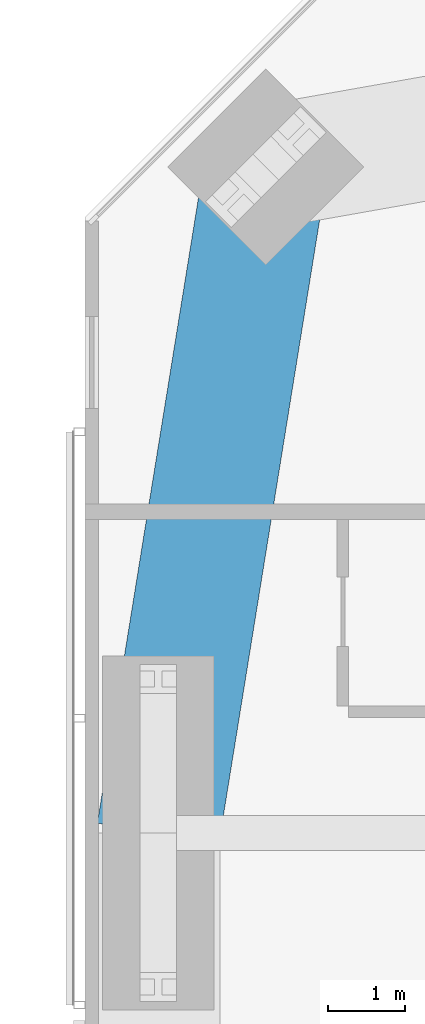
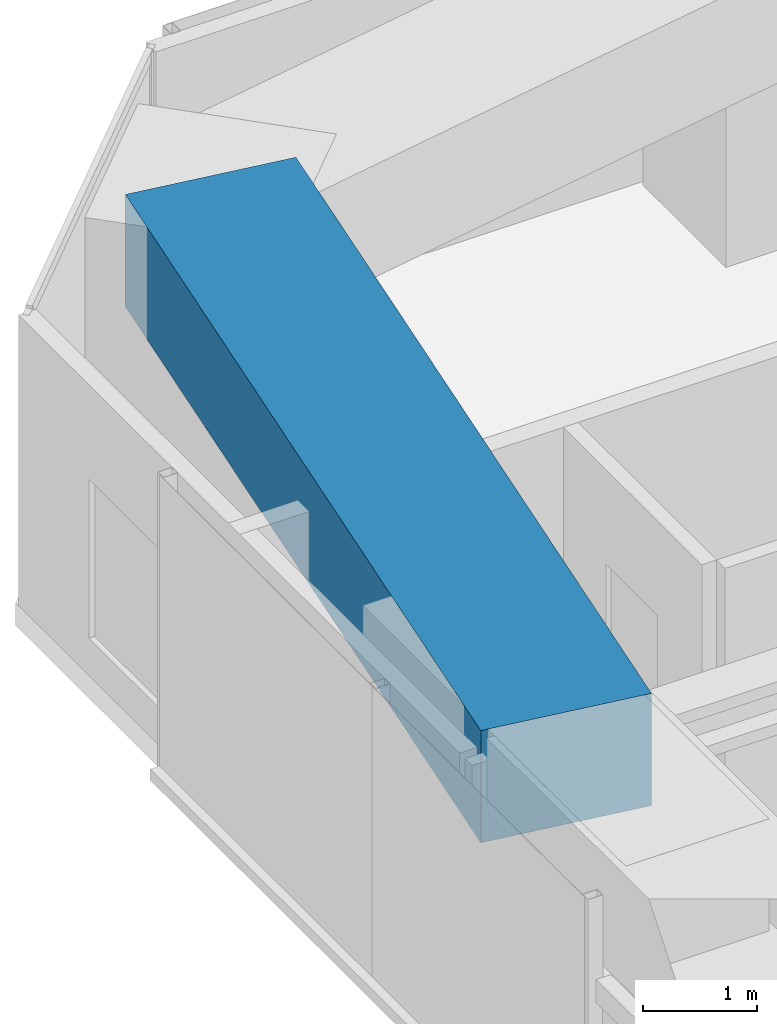
# One storey, part 6 of 22: 1 beam.
"""IFC4 building model written with IfcOpenShell, lengths in metres."""

from ifc_helpers import new_model, si_unit, direction, frame, origin, origin_2d, place, context, subcontext, project, spatial, rectangle, extrude, material, material_profile, profile_set, type_object, element, save


model = new_model("IFC4")

# Units and contexts
model_context = context("Model", 3, precision=1e-05, world=origin(), true_north=direction((0.0, 1.0)))
body_context = subcontext(model_context, "Body", "Model", "MODEL_VIEW")
ifc_project = project(units=[si_unit("LENGTHUNIT", "METRE"), si_unit("AREAUNIT", "SQUARE_METRE"), si_unit("VOLUMEUNIT", "CUBIC_METRE"), si_unit("PLANEANGLEUNIT", "RADIAN"), si_unit("MASSUNIT", "GRAM", prefix="KILO")], contexts=[model_context])

# Site, building, storey
site_placement = place(None, origin())
site = spatial("IfcSite", under=ifc_project, at=site_placement, CompositionType="ELEMENT")
building_placement = place(site_placement, origin())
building = spatial("IfcBuilding", under=site, at=building_placement, Name="Jalousie Tower", CompositionType="ELEMENT")
storey_placement = place(building_placement, frame((0.0, 0.0, 174.449951171875)))
storey = spatial("IfcBuildingStorey", under=building, at=storey_placement, Name="L47", CompositionType="ELEMENT", Elevation=174.449951171875)

# Beam
ifc_material = material(Name="Concrete f'c 40 MPa", Category="concrete")
ifc_material_profile = material_profile(ifc_material, rectangle(XDim=1.60009765625, YDim=1.199951171875, at=origin_2d()), Name="RC 1600x1200")
ifc_profile_set = profile_set([ifc_material_profile], Name="Concrete f'c 40 MPa")
beam_type = type_object("IfcBeamType", Name="RC BEAM 1600x1200", PredefinedType="BEAM", material=ifc_profile_set)
beam_placement = place(storey_placement, frame((14.348388671875, 33.651611328125, 2.75), z_axis=(-0.159567878256, -0.987186959106, 0.0), x_axis=(0.987186959106, -0.159567878256, 0.0)))
element("IfcBeam", 1, at=beam_placement, inside=storey, type_object=beam_type, Name="Edge band beam 12-13 under L48", PredefinedType="BEAM", context=body_context, shape_type="SweptSolid", body=[
    extrude(rectangle(XDim=1.60009765625, YDim=1.199951171875, at=origin_2d()), origin(), (0.0, 0.0, 1.0), 8.763916015625),
])

save(model, "model.ifc")
